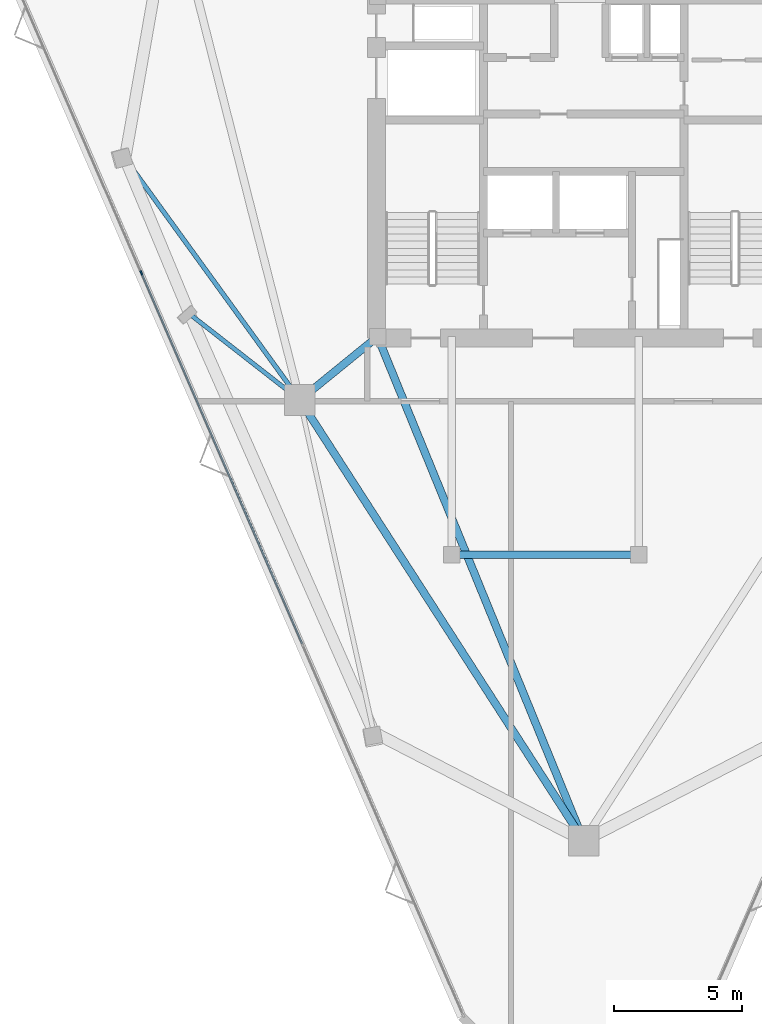
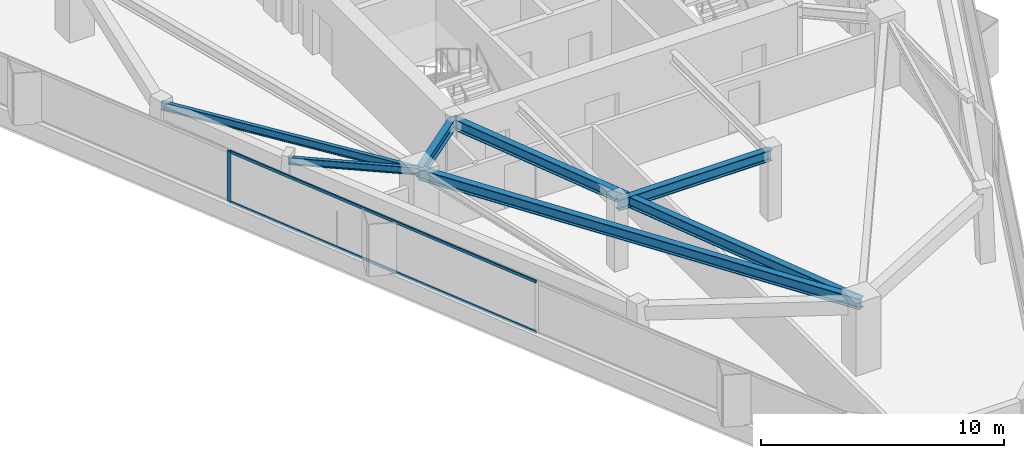
# One storey, part 3 of 11: 6 beams, 3 members, 1 element without a shape of its own.
"""IFC4 building model written with IfcOpenShell, lengths in metres."""

from ifc_helpers import new_model, si_unit, direction, frame, origin, origin_2d, place, context, subcontext, project, spatial, rectangle, i_section, extrude, material, layer, layer_set, material_profile, profile_set, type_object, element, aggregate, save


model = new_model("IFC4")

# Units and contexts
model_context = context("Model", 3, precision=1e-05, world=origin(), true_north=direction((0.0, 1.0)))
body_context = subcontext(model_context, "Body", "Model", "MODEL_VIEW")
ifc_project = project(units=[si_unit("LENGTHUNIT", "METRE"), si_unit("AREAUNIT", "SQUARE_METRE"), si_unit("VOLUMEUNIT", "CUBIC_METRE"), si_unit("PLANEANGLEUNIT", "RADIAN"), si_unit("MASSUNIT", "GRAM", prefix="KILO")], contexts=[model_context])

# Site, building, storey
site_placement = place(None, origin())
site = spatial("IfcSite", under=ifc_project, at=site_placement, CompositionType="ELEMENT")
building_placement = place(site_placement, origin())
building = spatial("IfcBuilding", under=site, at=building_placement, Name="Talyreon Biosciences Tower", CompositionType="ELEMENT")
storey_placement = place(building_placement, frame((0.0, 0.0, 238.89990234375)))
storey = spatial("IfcBuildingStorey", under=building, at=storey_placement, Name="L63", CompositionType="ELEMENT", Elevation=238.89990234375)

# Curtain wall, members
ifc_material_1 = material(Name="Thermally broken aluminium and low-E glazing", Category="aluminium")
ifc_layer = layer(ifc_material_1, 0.175048828125)
ifc_layer_set = layer_set([ifc_layer], Name="Thermally broken aluminium and low-E glazing")
curtain_wall_type = type_object("IfcCurtainWallType", Name="CurtainWall_Zone5CompLab", PredefinedType="NOTDEFINED", material=ifc_layer_set)
curtain_wall_placement = place(storey_placement, origin())
curtain_wall = element("IfcCurtainWall", 1, at=curtain_wall_placement, inside=storey, type_object=curtain_wall_type, Name="L63 Unitised Curtain Wall FCW-L63-00", PredefinedType="NOTDEFINED")
ifc_material_2 = material(Name="Anodised thermally broken aluminium", Category="aluminium")
ifc_material_profile_1 = material_profile(ifc_material_2, rectangle(XDim=0.06494140625, YDim=0.179931640625, at=origin_2d()), Name="ALUM MULLION 65x180")
ifc_profile_set_1 = profile_set([ifc_material_profile_1], Name="Anodised thermally broken aluminium")
member_type_1 = type_object("IfcMemberType", Name="CWMullion_65x180", PredefinedType="MULLION", material=ifc_profile_set_1)
member_1_placement = place(storey_placement, frame((48.72314453125, 63.8427734375, 0.81005859375), z_axis=(0.0, 0.0, 1.0), x_axis=(-0.917458244079, -0.397832088162, 0.0)))
member_1 = element("IfcMember", 2, at=member_1_placement, type_object=member_type_1, Name="CW6 mullion 3", PredefinedType="MULLION", context=body_context, shape_type="SweptSolid", body=[
    extrude(rectangle(XDim=0.06494140625, YDim=0.179931640625, at=origin_2d()), origin(), (0.0, 0.0, 1.0), 2.590087890625),
])
ifc_material_profile_2 = material_profile(ifc_material_2, rectangle(XDim=0.06494140625, YDim=0.139892578125, at=origin_2d()), Name="ALUM TRANSOM 65x140")
ifc_profile_set_2 = profile_set([ifc_material_profile_2], Name="Anodised thermally broken aluminium")
member_type_2 = type_object("IfcMemberType", Name="CWTransom_65x140", PredefinedType="USERDEFINED", material=ifc_profile_set_2)
member_2_placement = place(storey_placement, frame((55.0, 49.367431640625, 0.842529296875), z_axis=(-0.397830656241, 0.917458864993, 0.0), x_axis=(-0.917458864993, -0.397830656241, 0.0)))
member_2 = element("IfcMember", 3, at=member_2_placement, type_object=member_type_2, Name="CW6 transom 2.1", ObjectType="TRANSOM", PredefinedType="USERDEFINED", context=body_context, shape_type="SweptSolid", body=[
    extrude(rectangle(XDim=0.06494140625, YDim=0.139892578125, at=origin_2d()), origin(), (0.0, 0.0, 1.0), 15.7451171875),
])
member_3_placement = place(storey_placement, frame((55.0, 49.367431640625, 3.36767578125), z_axis=(-0.397830656241, 0.917458864993, 0.0), x_axis=(-0.917458864993, -0.397830656241, 0.0)))
member_3 = element("IfcMember", 4, at=member_3_placement, type_object=member_type_2, Name="CW6 transom 2.2", ObjectType="TRANSOM", PredefinedType="USERDEFINED", context=body_context, shape_type="SweptSolid", body=[
    extrude(rectangle(XDim=0.06494140625, YDim=0.139892578125, at=origin_2d()), origin(), (0.0, 0.0, 1.0), 15.7451171875),
])
aggregate(curtain_wall, [member_1, member_2, member_3])

# Beams
ifc_material_3 = material(Name="Steel SM355", Category="steel")
ifc_material_profile_3 = material_profile(ifc_material_3, i_section(OverallWidth=0.300048828125, OverallDepth=0.550048828125, WebThickness=0.014892578125, FlangeThickness=0.029052734375, FilletRadius=0.027099609375, at=origin_2d()), Name="HE550B")
ifc_profile_set_3 = profile_set([ifc_material_profile_3], Name="Steel SM355")
beam_type_1 = type_object("IfcBeamType", Name="SteelBeam_HE550B", PredefinedType="BEAM", material=ifc_profile_set_3)
beam_1_placement = place(storey_placement, frame((54.913818359375, 58.88037109375, 3.125), z_axis=(0.541463723609, -0.840724114092, 0.0), x_axis=(0.840724114092, 0.541463723609, 0.0)))
element("IfcBeam", 5, at=beam_1_placement, inside=storey, type_object=beam_type_1, Name="L63 Mega-Ring Girder 6", PredefinedType="BEAM", context=body_context, shape_type="SweptSolid", body=[
    extrude(i_section(OverallWidth=0.300048828125, OverallDepth=0.550048828125, WebThickness=0.014892578125, FlangeThickness=0.029052734375, FilletRadius=0.027099609375, at=origin_2d()), origin(), (0.0, 0.0, 1.0), 20.474365234375),
])
beam_2_placement = place(storey_placement, frame((57.949951171875, 61.35009765625, 3.125), z_axis=(0.378547014545, -0.925582064314, 0.0), x_axis=(0.925582064314, 0.378547014545, 0.0)))
element("IfcBeam", 6, at=beam_2_placement, inside=storey, type_object=beam_type_1, Name="L63 Radial Primary Girder 1", PredefinedType="BEAM", context=body_context, shape_type="SweptSolid", body=[
    extrude(i_section(OverallWidth=0.300048828125, OverallDepth=0.550048828125, WebThickness=0.014892578125, FlangeThickness=0.029052734375, FilletRadius=0.027099609375, at=origin_2d()), origin(), (0.0, 0.0, 1.0), 21.265625),
])
beam_3_placement = place(storey_placement, frame((57.949951171875, 61.35009765625, 3.125), z_axis=(-0.775755154013, -0.631034025249, 0.0), x_axis=(0.631034025249, -0.775755154013, 0.0)))
element("IfcBeam", 7, at=beam_3_placement, inside=storey, type_object=beam_type_1, Name="L63 Radial Primary Girder 6", PredefinedType="BEAM", context=body_context, shape_type="SweptSolid", body=[
    extrude(i_section(OverallWidth=0.300048828125, OverallDepth=0.550048828125, WebThickness=0.014892578125, FlangeThickness=0.029052734375, FilletRadius=0.027099609375, at=origin_2d()), origin(), (0.0, 0.0, 1.0), 3.913818359375),
])
beam_4_placement = place(storey_placement, frame((60.85009765625, 52.840087890625, 3.125), z_axis=(1.0, 0.0, 0.0), x_axis=(0.0, 1.0, 0.0)))
element("IfcBeam", 8, at=beam_4_placement, inside=storey, type_object=beam_type_1, Name="L63 Crown Shaft Spine Girder S", PredefinedType="BEAM", context=body_context, shape_type="SweptSolid", body=[
    extrude(i_section(OverallWidth=0.300048828125, OverallDepth=0.550048828125, WebThickness=0.014892578125, FlangeThickness=0.029052734375, FilletRadius=0.027099609375, at=origin_2d()), origin(), (0.0, 0.0, 1.0), 7.2998046875),
])
ifc_material_profile_4 = material_profile(ifc_material_3, i_section(OverallWidth=0.169921875, OverallDepth=0.360107421875, WebThickness=0.008056640625, FlangeThickness=0.0126953125, FilletRadius=0.01806640625, at=origin_2d()), Name="IPE360")
ifc_profile_set_4 = profile_set([ifc_material_profile_4], Name="Steel SM355")
beam_type_2 = type_object("IfcBeamType", Name="SteelJoist_IPE360", PredefinedType="JOIST", material=ifc_profile_set_4)
beam_5_placement = place(storey_placement, frame((54.913818359375, 58.88037109375, 3.22021484375), z_axis=(-0.788546994613, 0.61497450133, 0.0), x_axis=(-0.61497450133, -0.788546994613, 0.0)))
element("IfcBeam", 9, at=beam_5_placement, inside=storey, type_object=beam_type_2, Name="L63 Radial Composite Floor Joist PL-SW", PredefinedType="JOIST", context=body_context, shape_type="SweptSolid", body=[
    extrude(i_section(OverallWidth=0.169921875, OverallDepth=0.360107421875, WebThickness=0.008056640625, FlangeThickness=0.0126953125, FilletRadius=0.01806640625, at=origin_2d()), origin(), (0.0, 0.0, 1.0), 5.45751953125),
])
ifc_material_profile_5 = material_profile(ifc_material_3, i_section(OverallWidth=0.179931640625, OverallDepth=0.39990234375, WebThickness=0.008544921875, FlangeThickness=0.013427734375, FilletRadius=0.02099609375, at=origin_2d()), Name="IPE400")
ifc_profile_set_5 = profile_set([ifc_material_profile_5], Name="Steel SM355")
beam_type_3 = type_object("IfcBeamType", Name="SteelJoist_IPE400", PredefinedType="JOIST", material=ifc_profile_set_5)
beam_6_placement = place(storey_placement, frame((54.913818359375, 58.88037109375, 3.2001953125), z_axis=(-0.586469486365, 0.809971321445, 0.0), x_axis=(-0.809971321445, -0.586469486365, 0.0)))
element("IfcBeam", 10, at=beam_6_placement, inside=storey, type_object=beam_type_3, Name="L63 Radial Composite Floor Joist PC-SW1", PredefinedType="JOIST", context=body_context, shape_type="SweptSolid", body=[
    extrude(i_section(OverallWidth=0.179931640625, OverallDepth=0.39990234375, WebThickness=0.008544921875, FlangeThickness=0.013427734375, FilletRadius=0.02099609375, at=origin_2d()), origin(), (0.0, 0.0, 1.0), 11.64111328125),
])

save(model, "model.ifc")
